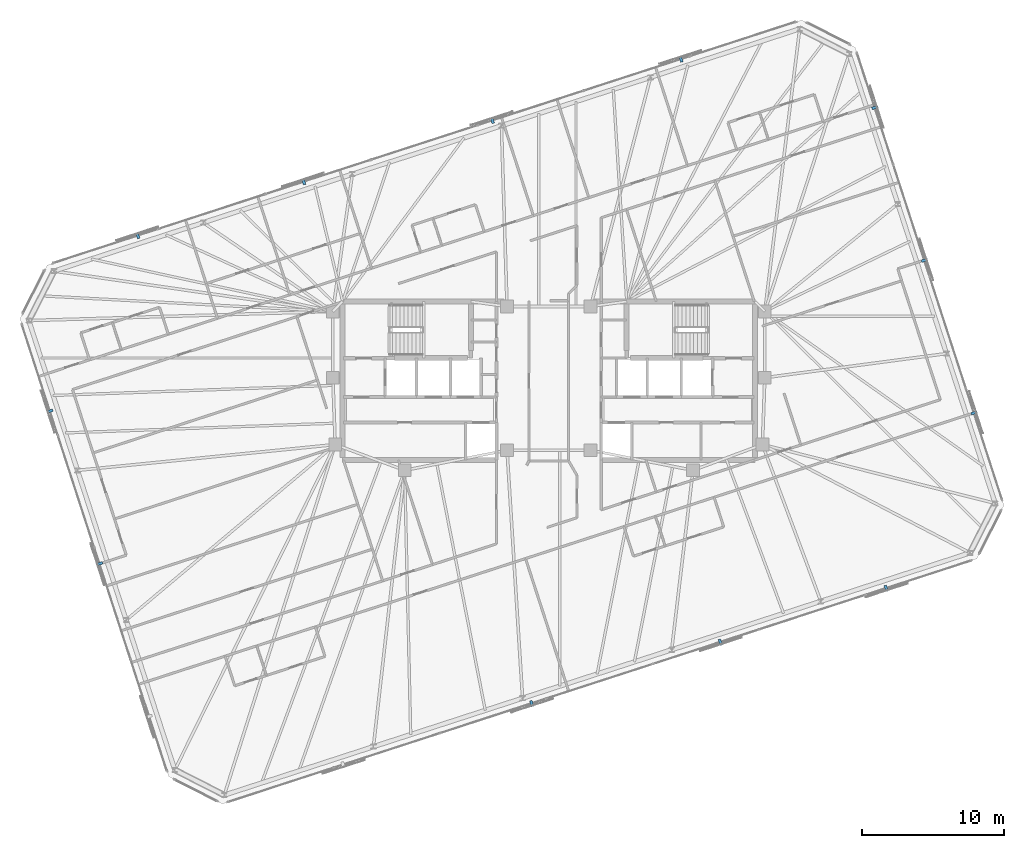
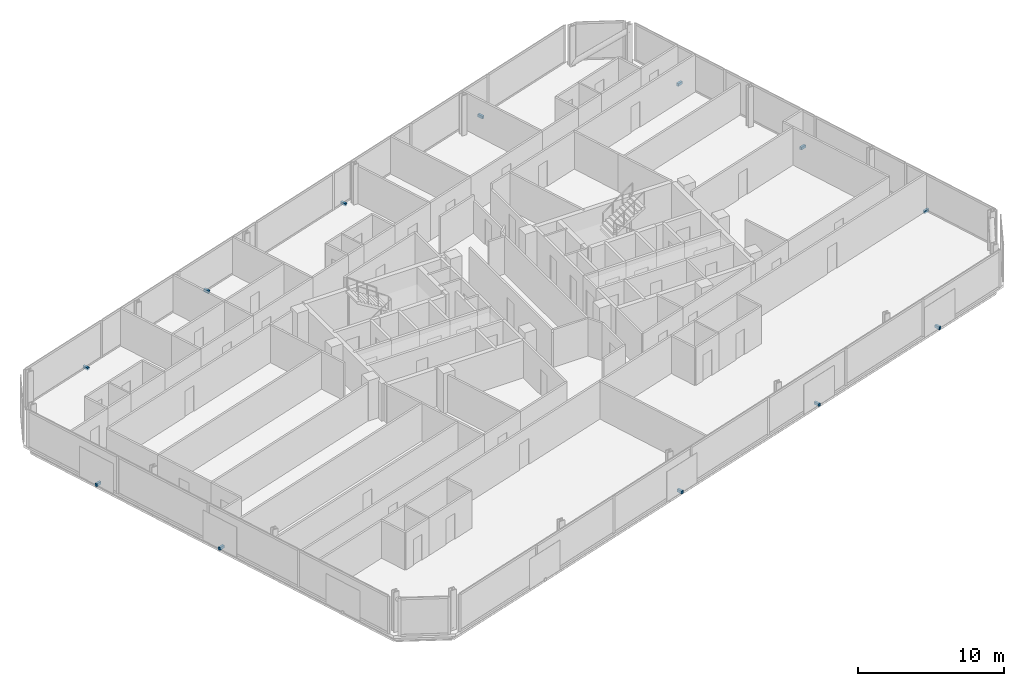
# One storey, part 18 of 19: 12 discrete accessories.
"""IFC4 building model written with IfcOpenShell, lengths in metres."""

from ifc_helpers import new_model, si_unit, direction, frame, origin, origin_2d, place, context, subcontext, project, spatial, rectangle, extrude, material, type_object, element, save


model = new_model("IFC4")

# Units and contexts
model_context = context("Model", 3, precision=1e-05, world=origin(), true_north=direction((0.0, 1.0)))
body_context = subcontext(model_context, "Body", "Model", "MODEL_VIEW")
ifc_project = project(units=[si_unit("LENGTHUNIT", "METRE"), si_unit("AREAUNIT", "SQUARE_METRE"), si_unit("VOLUMEUNIT", "CUBIC_METRE"), si_unit("PLANEANGLEUNIT", "RADIAN"), si_unit("MASSUNIT", "GRAM", prefix="KILO")], contexts=[model_context])

# Site, building, storey
site_placement = place(None, origin())
site = spatial("IfcSite", under=ifc_project, at=site_placement, CompositionType="ELEMENT")
building_placement = place(site_placement, origin())
building = spatial("IfcBuilding", under=site, at=building_placement, Name="Menara Jurai Vektor", CompositionType="ELEMENT")
storey_placement = place(building_placement, frame((0.0, 0.0, 210.89990234375)))
storey = spatial("IfcBuildingStorey", under=building, at=storey_placement, Name="L55", CompositionType="ELEMENT", Elevation=210.89990234375)

# Discrete accessories
ifc_material = material(Name="Steel S355", Category="steel")
discrete_accessory_type = type_object("IfcDiscreteAccessoryType", Name="ENV-ACC-BRACKET", PredefinedType="BRACKET", material=ifc_material)
for number, where, z_axis, x_axis, name in (
    (1, (-1.2099609375, -22.7880859375, -0.1298828125), (0.0, 0.0, 1.0), (0.951056516295, 0.309016994375, 0.0), "Solar Screen Stand-Off Bracket L55-S02"),
    (2, (12.10498046875, -18.4619140625, -0.1298828125), (0.0, 0.0, 1.0), (0.951056516295, 0.309016994375, 0.0), "Solar Screen Stand-Off Bracket L55-S03"),
    (3, (23.822021484375, -14.65478515625, -0.1298828125), (0.0, 0.0, 1.0), (0.951056516295, 0.309016994375, 0.0), "Solar Screen Stand-Off Bracket L55-S04"),
    (4, (30.026611328125, -2.26416015625, -0.1298828125), (0.0, 0.0, 1.0), (-0.309016994375, 0.951056516295, 0.0), "Solar Screen Stand-Off Bracket L55-S05"),
    (5, (26.5244140625, 8.514404296875, -0.1298828125), (0.0, 0.0, 1.0), (-0.309016994375, 0.951056516295, 0.0), "Solar Screen Stand-Off Bracket L55-S06"),
    (6, (23.0224609375, 19.29296875, -0.1298828125), (0.0, 0.0, 1.0), (-0.309016994375, 0.951056516295, 0.0), "Solar Screen Stand-Off Bracket L55-S07"),
    (7, (9.32470703125, 22.71435546875, -0.1298828125), (0.0, 0.0, 1.0), (-0.951056516295, -0.309016994375, 0.0), "Solar Screen Stand-Off Bracket L55-S08"),
    (8, (-3.989990234375, 18.38818359375, -0.1298828125), (0.0, 0.0, 1.0), (-0.951056516295, -0.309016994375, 0.0), "Solar Screen Stand-Off Bracket L55-S09"),
    (9, (-17.304931640625, 14.06201171875, -0.1298828125), (0.0, 0.0, 1.0), (-0.951056516295, -0.309016994375, 0.0), "Solar Screen Stand-Off Bracket L55-S10"),
    (10, (-29.02197265625, 10.2548828125, -0.1298828125), (0.0, 0.0, 1.0), (-0.951056516295, -0.309016994375, 0.0), "Solar Screen Stand-Off Bracket L55-S11"),
    (11, (-35.226806640625, -2.1357421875, -0.1298828125), (0.0, 0.0, 1.0), (0.309016994375, -0.951056516295, 0.0), "Solar Screen Stand-Off Bracket L55-S12"),
    (12, (-31.724609375, -12.914306640625, -0.1298828125), (0.0, 0.0, 1.0), (0.309016994375, -0.951056516295, 0.0), "Solar Screen Stand-Off Bracket L55-S13"),
):
    element("IfcDiscreteAccessory", number, at=place(storey_placement, frame(where, z_axis=z_axis, x_axis=x_axis)), inside=storey, type_object=discrete_accessory_type, Name=name, PredefinedType="BRACKET", context=body_context, shape_type="SweptSolid", body=[
        extrude(rectangle(XDim=0.179931640625, YDim=0.43994140625, at=origin_2d()), origin(), (0.0, 0.0, 1.0), 0.219970703125),
    ])

save(model, "model.ifc")
